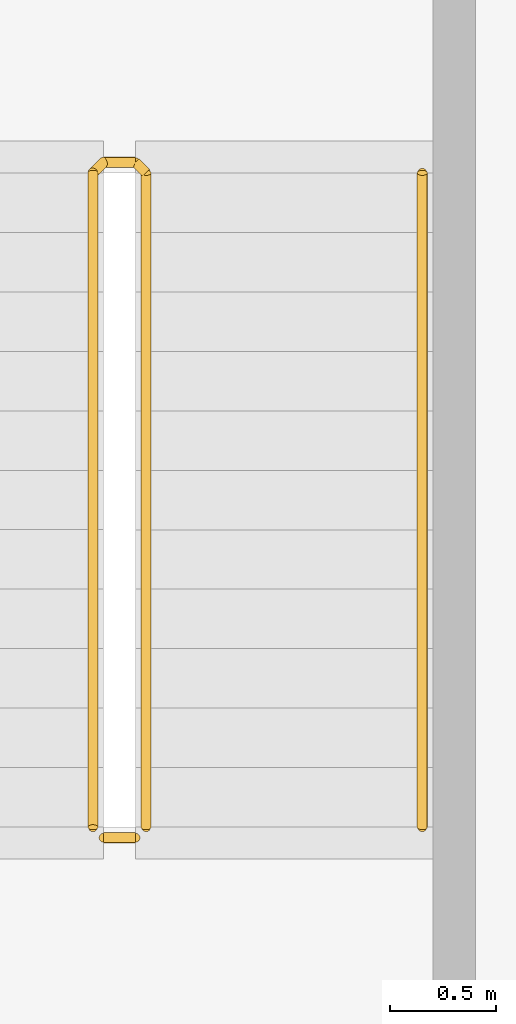
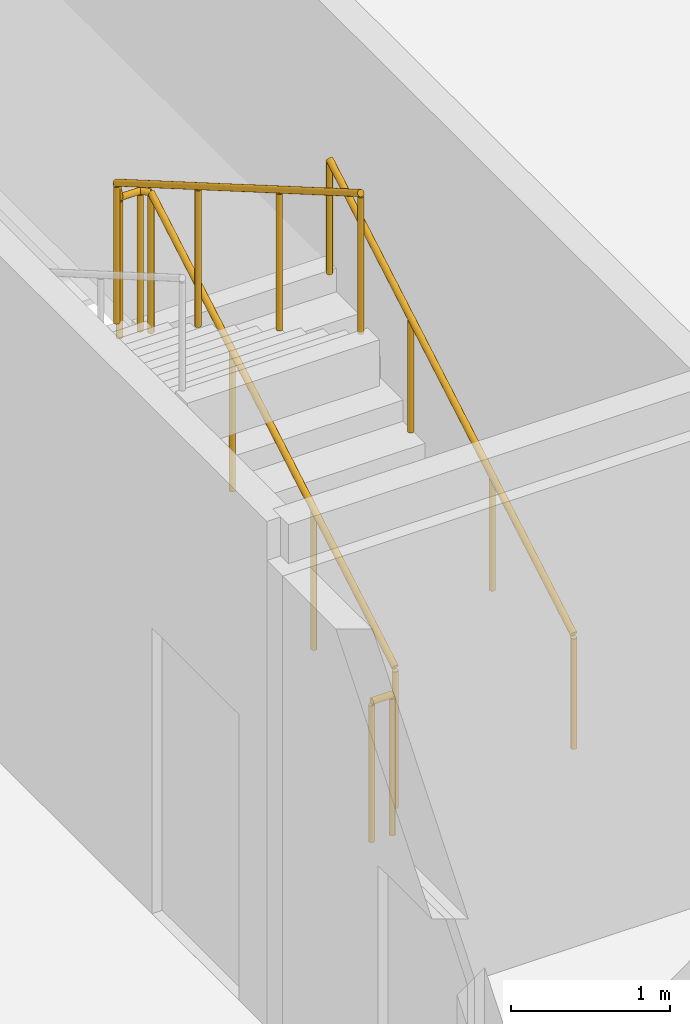
# One storey, part 24 of 25: 3 railings.
"""IFC4 building model written with IfcOpenShell, lengths in metres."""

from ifc_helpers import new_model, si_unit, direction, frame, origin, origin_2d, place, context, subcontext, project, spatial, circle, extrude, material, type_object, element, save


model = new_model("IFC4")

# Units and contexts
model_context = context("Model", 3, precision=1e-05, world=origin(), true_north=direction((0.0, 1.0)))
body_context = subcontext(model_context, "Body", "Model", "MODEL_VIEW")
ifc_project = project(units=[si_unit("LENGTHUNIT", "METRE"), si_unit("AREAUNIT", "SQUARE_METRE"), si_unit("VOLUMEUNIT", "CUBIC_METRE"), si_unit("PLANEANGLEUNIT", "RADIAN"), si_unit("MASSUNIT", "GRAM", prefix="KILO")], contexts=[model_context])

# Site, building, storey
site_placement = place(None, origin())
site = spatial("IfcSite", under=ifc_project, at=site_placement, CompositionType="ELEMENT")
building_placement = place(site_placement, origin())
building = spatial("IfcBuilding", under=site, at=building_placement, Name="Kheshtan School and Residences Tower", CompositionType="ELEMENT")
storey_placement = place(building_placement, frame((0.0, 0.0, 113.60009765625)))
storey = spatial("IfcBuildingStorey", under=building, at=storey_placement, Name="L26", CompositionType="ELEMENT", Elevation=113.60009765625)

# Railings
ifc_material_1 = material(Name="Stainless steel balustrade", Category="steel")
railing_type_1 = type_object("IfcRailingType", Name="Stair guard 1100", PredefinedType="GUARDRAIL", material=ifc_material_1)
railing_1_placement = place(storey_placement, frame((35.0, 80.89990234375, 0.162353515625)))
element("IfcRailing", 1, at=railing_1_placement, inside=storey, type_object=railing_type_1, Name="L26 ST3 stair guard 1", PredefinedType="GUARDRAIL", context=body_context, shape_type="SweptSolid", body=[
    extrude(circle(Radius=0.02392578125, at=origin_2d()), frame((0.0, 0.0, 1.076171875), z_axis=(0.0, 0.864890721111, 0.501960198159), x_axis=(-1.0, 0.0, 0.0)), (0.0, 0.0, 1.0), 3.561279296875),
    extrude(circle(Radius=0.02392578125, at=origin_2d()), frame((0.0, 3.080078125, 2.86376953125), z_axis=(-0.707106781187, 0.707106781187, 0.0), x_axis=(-0.707106781187, -0.707106781187, 0.0)), (0.0, 0.0, 1.0), 0.07080078125),
    extrude(circle(Radius=0.02392578125, at=origin_2d()), frame((-0.050048828125, 3.130126953125, 2.86376953125), z_axis=(-1.0, 0.0, 0.0), x_axis=(0.0, -1.0, 0.0)), (0.0, 0.0, 1.0), 0.14990234375),
    extrude(circle(Radius=0.02392578125, at=origin_2d()), frame((-0.199951171875, 3.130126953125, 2.86376953125), z_axis=(-0.282583949758, -0.282583949758, 0.916674763849), x_axis=(0.707106781187, -0.707106781187, 0.0)), (0.0, 0.0, 1.0), 0.177001953125),
    extrude(circle(Radius=0.02392578125, at=origin_2d()), frame((-0.25, 3.080078125, 3.02587890625), z_axis=(0.0, -0.864890721111, 0.501960198159), x_axis=(1.0, 0.0, 0.0)), (0.0, 0.0, 1.0), 3.561279296875),
    extrude(circle(Radius=0.02099609375, at=origin_2d()), origin(), (0.0, 0.0, 1.0), 1.052001953125),
    extrude(circle(Radius=0.02099609375, at=origin_2d()), frame((0.0, 1.026611328125, 0.595947265625)), (0.0, 0.0, 1.0), 1.052001953125),
    extrude(circle(Radius=0.02099609375, at=origin_2d()), frame((0.0, 2.053466796875, 1.191650390625)), (0.0, 0.0, 1.0), 1.052001953125),
    extrude(circle(Radius=0.02099609375, at=origin_2d()), frame((0.0, 3.080078125, 1.78759765625)), (0.0, 0.0, 1.0), 1.052001953125),
    extrude(circle(Radius=0.02099609375, at=origin_2d()), frame((-0.050048828125, 3.130126953125, 1.78759765625)), (0.0, 0.0, 1.0), 1.052001953125),
    extrude(circle(Radius=0.02099609375, at=origin_2d()), frame((-0.199951171875, 3.130126953125, 1.78759765625)), (0.0, 0.0, 1.0), 1.052001953125),
    extrude(circle(Radius=0.02099609375, at=origin_2d()), frame((-0.25, 3.080078125, 1.949951171875)), (0.0, 0.0, 1.0), 1.052001953125),
    extrude(circle(Radius=0.02099609375, at=origin_2d()), frame((-0.25, 2.053466796875, 2.5458984375)), (0.0, 0.0, 1.0), 1.052001953125),
    extrude(circle(Radius=0.02099609375, at=origin_2d()), frame((-0.25, 1.026611328125, 3.1416015625)), (0.0, 0.0, 1.0), 1.052001953125),
    extrude(circle(Radius=0.02099609375, at=origin_2d()), frame((-0.25, 0.0, 3.737548828125)), (0.0, 0.0, 1.0), 1.052001953125),
])
railing_2_placement = place(storey_placement, frame((34.949951171875, 80.85009765625, 0.0)))
element("IfcRailing", 2, at=railing_2_placement, inside=storey, type_object=railing_type_1, Name="L26 ST3 stair guard 2", PredefinedType="GUARDRAIL", context=body_context, shape_type="SweptSolid", body=[
    extrude(circle(Radius=0.02392578125, at=origin_2d()), frame((0.0, 0.0, 1.076171875), z_axis=(-1.0, 0.0, 0.0), x_axis=(0.0, -1.0, 0.0)), (0.0, 0.0, 1.0), 0.14990234375),
    extrude(circle(Radius=0.02099609375, at=origin_2d()), origin(), (0.0, 0.0, 1.0), 1.052001953125),
    extrude(circle(Radius=0.02099609375, at=origin_2d()), frame((-0.14990234375, 0.0, 0.0)), (0.0, 0.0, 1.0), 1.052001953125),
])
ifc_material_2 = material(Name="Stainless steel handrail", Category="steel")
railing_type_2 = type_object("IfcRailingType", Name="Stair handrail 900", PredefinedType="HANDRAIL", material=ifc_material_2)
railing_3_placement = place(storey_placement, frame((36.300048828125, 80.89990234375, 0.162353515625)))
element("IfcRailing", 3, at=railing_3_placement, inside=storey, type_object=railing_type_2, Name="L26 ST3 stair handrail 1", PredefinedType="HANDRAIL", context=body_context, shape_type="SweptSolid", body=[
    extrude(circle(Radius=0.02392578125, at=origin_2d()), frame((0.0, 0.0, 0.8759765625), z_axis=(0.0, 0.864890721111, 0.501960198159), x_axis=(-1.0, 0.0, 0.0)), (0.0, 0.0, 1.0), 3.561279296875),
    extrude(circle(Radius=0.02099609375, at=origin_2d()), origin(), (0.0, 0.0, 1.0), 0.851806640625),
    extrude(circle(Radius=0.02099609375, at=origin_2d()), frame((0.0, 1.026611328125, 0.595947265625)), (0.0, 0.0, 1.0), 0.851806640625),
    extrude(circle(Radius=0.02099609375, at=origin_2d()), frame((0.0, 2.053466796875, 1.191650390625)), (0.0, 0.0, 1.0), 0.851806640625),
    extrude(circle(Radius=0.02099609375, at=origin_2d()), frame((0.0, 3.080078125, 1.78759765625)), (0.0, 0.0, 1.0), 0.851806640625),
])

save(model, "model.ifc")
